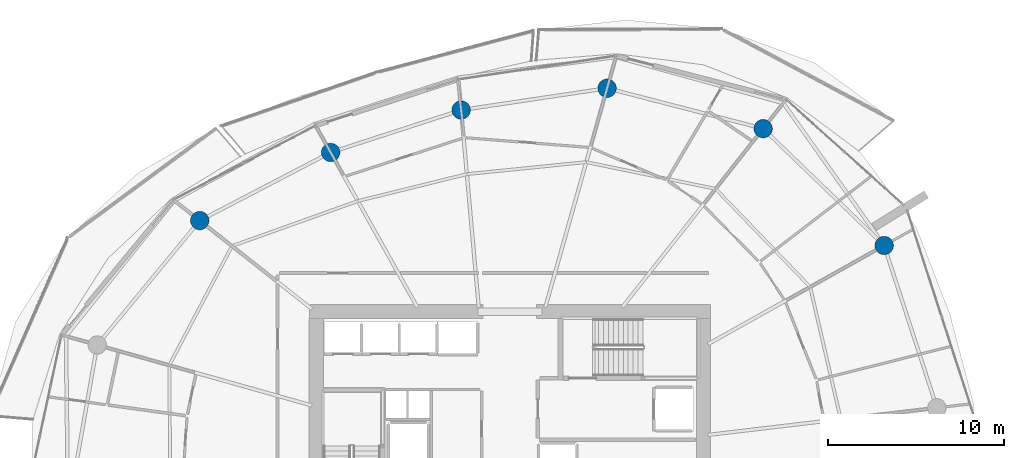
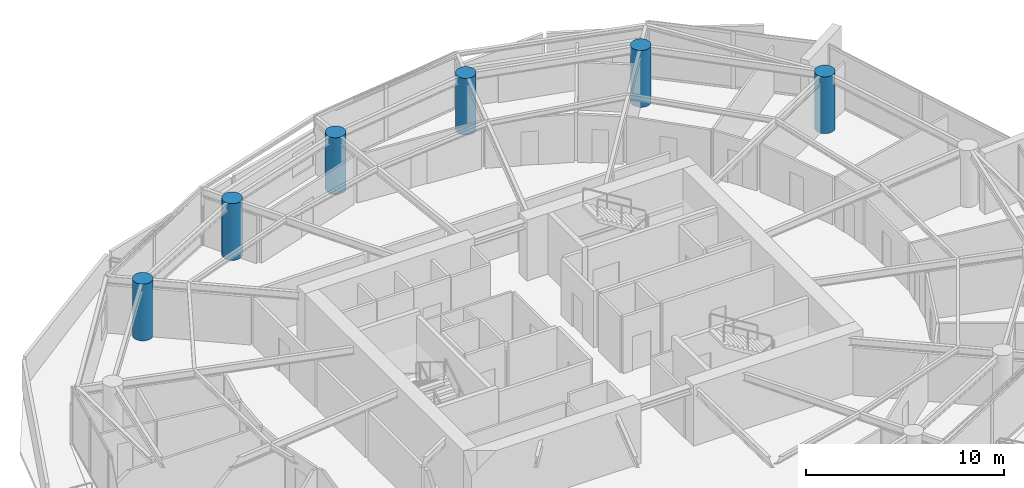
# One storey, part 4 of 20: 6 columns.
"""IFC4 building model written with IfcOpenShell, lengths in metres."""

from ifc_helpers import new_model, si_unit, direction, frame, origin, origin_2d, place, context, subcontext, project, spatial, circle, extrude, material, material_profile, profile_set, type_object, element, save


model = new_model("IFC4")

# Units and contexts
model_context = context("Model", 3, precision=1e-05, world=origin(), true_north=direction((0.0, 1.0)))
body_context = subcontext(model_context, "Body", "Model", "MODEL_VIEW")
ifc_project = project(units=[si_unit("LENGTHUNIT", "METRE"), si_unit("AREAUNIT", "SQUARE_METRE"), si_unit("VOLUMEUNIT", "CUBIC_METRE"), si_unit("PLANEANGLEUNIT", "RADIAN"), si_unit("MASSUNIT", "GRAM", prefix="KILO")], contexts=[model_context])

# Site, building, storey
site_placement = place(None, origin())
site = spatial("IfcSite", under=ifc_project, at=site_placement, CompositionType="ELEMENT")
building_placement = place(site_placement, origin())
building = spatial("IfcBuilding", under=site, at=building_placement, Name="Kazma Halo Residences", CompositionType="ELEMENT")
storey_placement = place(building_placement, frame((0.0, 0.0, 139.050048828125)))
storey = spatial("IfcBuildingStorey", under=building, at=storey_placement, Name="L34", CompositionType="ELEMENT", Elevation=139.050048828125)

# Columns
ifc_material = material(Name="Concrete C80/95", Category="concrete")
ifc_material_profile = material_profile(ifc_material, circle(Radius=0.52490234375, at=origin_2d()), Name="CIRC1050")
ifc_profile_set = profile_set([ifc_material_profile], Name="Concrete C80/95")
column_type = type_object("IfcColumnType", Name="COL-PERIM-1050", PredefinedType="COLUMN", material=ifc_profile_set)
for number, where, z_axis, x_axis, name in (
    (1, (69.730224609375, 54.16943359375, 0.0), (0.0, 0.0, 1.0), (1.0, 0.0, 0.0), "L34 perimeter ring column P01"),
    (2, (62.839599609375, 60.82373046875, 0.0), (0.0, 0.0, 1.0), (1.0, 0.0, 0.0), "L34 perimeter ring column P02"),
    (3, (53.95703125, 63.121826171875, 0.0), (0.0, 0.0, 1.0), (1.0, 0.0, 0.0), "L34 perimeter ring column P03"),
    (4, (45.64697265625, 61.881103515625, 0.0), (0.0, 0.0, 1.0), (1.0, 0.0, 0.0), "L34 perimeter ring column P04"),
    (5, (38.218017578125, 59.46728515625, 0.0), (0.0, 0.0, 1.0), (1.0, 0.0, 0.0), "L34 perimeter ring column P05"),
    (6, (30.765625, 55.58642578125, 0.0), (0.0, 0.0, 1.0), (1.0, 0.0, 0.0), "L34 perimeter ring column P06"),
):
    element("IfcColumn", number, at=place(storey_placement, frame(where, z_axis=z_axis, x_axis=x_axis)), inside=storey, type_object=column_type, Name=name, PredefinedType="COLUMN", context=body_context, shape_type="SweptSolid", body=[
        extrude(circle(Radius=0.52490234375, at=origin_2d()), origin(), (0.0, 0.0, 1.0), 3.5),
    ])

save(model, "model.ifc")
